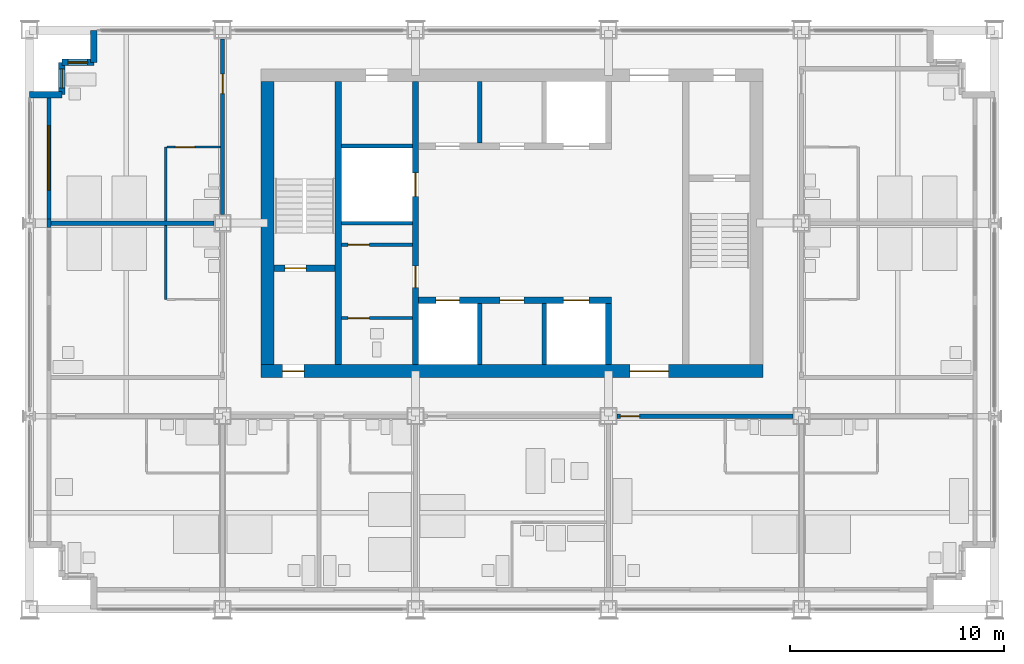
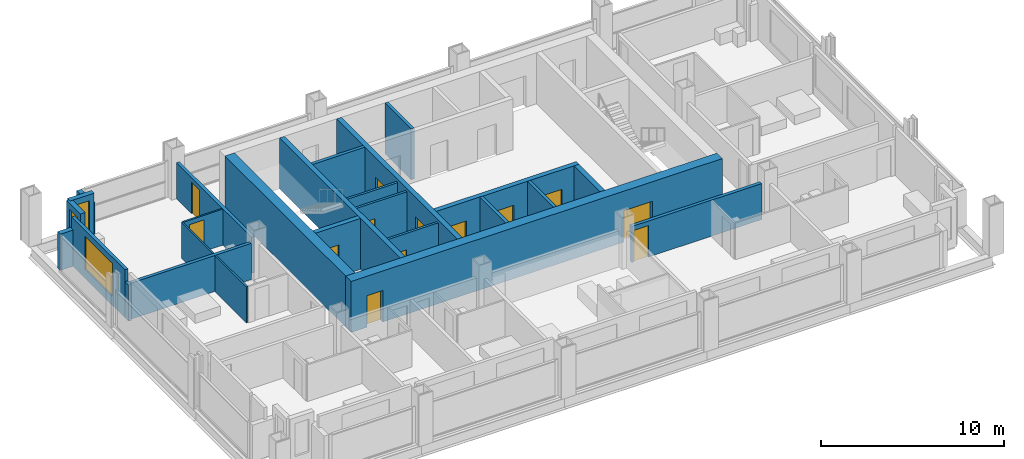
# One storey, part 8 of 13: 26 walls, 13 doors, 3 windows, 16 openings.
"""IFC4 building model written with IfcOpenShell, lengths in metres."""

from ifc_helpers import new_model, si_unit, direction, frame, frame_2d, origin, place, context, subcontext, project, spatial, rectangle, extrude, material, layer, layer_set, type_object, element, fill, save


model = new_model("IFC4")

# Units and contexts
model_context = context("Model", 3, precision=1e-05, world=origin(), true_north=direction((0.0, 1.0)))
body_context = subcontext(model_context, "Body", "Model", "MODEL_VIEW")
ifc_project = project(units=[si_unit("LENGTHUNIT", "METRE"), si_unit("AREAUNIT", "SQUARE_METRE"), si_unit("VOLUMEUNIT", "CUBIC_METRE"), si_unit("PLANEANGLEUNIT", "RADIAN"), si_unit("MASSUNIT", "GRAM", prefix="KILO")], contexts=[model_context])

# Site, building, storey
site_placement = place(None, origin())
site = spatial("IfcSite", under=ifc_project, at=site_placement, CompositionType="ELEMENT")
building_placement = place(site_placement, origin())
building = spatial("IfcBuilding", under=site, at=building_placement, Name="Loomwork Tower", CompositionType="ELEMENT")
storey_placement = place(building_placement, frame((0.0, 0.0, 184.199951171875)))
storey = spatial("IfcBuildingStorey", under=building, at=storey_placement, Name="L50", CompositionType="ELEMENT", Elevation=184.199951171875)

# Wall
ifc_material_1 = material(Name="Concrete 14000 psi (97 MPa)", Category="concrete")
ifc_layer_1 = layer(ifc_material_1, 0.300048828125)
ifc_layer_set_1 = layer_set([ifc_layer_1], Name="Core shear wall 300")
wall_type_1 = type_object("IfcWallType", Name="Core shear wall 300", PredefinedType="SHEAR", material=ifc_layer_set_1)
wall_1_placement = place(storey_placement, frame((14.39990234375, 11.39990234375, 0.0), z_axis=(0.0, 0.0, 1.0), x_axis=(0.0, 1.0, 0.0)))
element("IfcWall", 1, at=wall_1_placement, inside=storey, type_object=wall_type_1, Name="Stair A east wall L50", PredefinedType="SHEAR", context=body_context, shape_type="SweptSolid", body=[
    extrude(rectangle(XDim=13.2001953125, YDim=0.300048828125, at=frame_2d((6.60009765625, 0.0))), origin(), (0.0, 0.0, 1.0), 3.400146484375),
])

# Wall, opening, door
wall_2_placement = place(storey_placement, frame((11.39990234375, 15.89990234375, 0.0), z_axis=(0.0, 0.0, 1.0), x_axis=(1.0, 0.0, 0.0)))
wall_2 = element("IfcWall", 2, at=wall_2_placement, inside=storey, type_object=wall_type_1, Name="Stair A south wall L50", PredefinedType="SHEAR", context=body_context, shape_type="SweptSolid", body=[
    extrude(rectangle(XDim=2.85009765625, YDim=0.300048828125, at=frame_2d((1.425048828125, 0.0))), origin(), (0.0, 0.0, 1.0), 3.400146484375),
])
opening_1_placement = place(wall_2_placement, frame((0.5, 0.0, 0.0)))
opening_1 = element("IfcOpeningElement", 3, at=opening_1_placement, cuts=wall_2, Name="Opening D4", PredefinedType="OPENING", context=body_context, shape_type="SweptSolid", body=[
    extrude(rectangle(XDim=1.0, YDim=2.10009765625, at=frame_2d((0.5, 1.050048828125))), frame((0.0, 0.159912109375, 0.0), z_axis=(0.0, -1.0, 0.0), x_axis=(1.0, 0.0, 0.0)), (0.0, 0.0, 1.0), 0.320068359375),
])
ifc_material_2 = material(Name="Hollow metal door and frame")
door_type_1 = type_object("IfcDoorType", Name="Stair door 1000", OperationType="SINGLE_SWING_RIGHT", PredefinedType="DOOR", material=ifc_material_2)
door_1_placement = place(opening_1_placement, origin())
door_1 = element("IfcDoor", 4, at=door_1_placement, inside=storey, type_object=door_type_1, Name="Stair A door", OperationType="SINGLE_SWING_LEFT", OverallHeight=2.10009765625, OverallWidth=1.0, PredefinedType="DOOR", context=body_context, shape_type="SweptSolid", body=[
    extrude(rectangle(XDim=1.0, YDim=2.10009765625, at=frame_2d((0.5, 1.050048828125))), frame((0.0, 0.02490234375, 0.0), z_axis=(0.0, -1.0, 0.0), x_axis=(1.0, 0.0, 0.0)), (0.0, 0.0, 1.0), 0.050048828125),
])
fill(opening_1, door_1)

# Wall, openings, doors
wall_3_placement = place(storey_placement, frame((18.0, 11.39990234375, 0.0), z_axis=(0.0, 0.0, 1.0), x_axis=(0.0, 1.0, 0.0)))
wall_3 = element("IfcWall", 5, at=wall_3_placement, inside=storey, type_object=wall_type_1, Name="Lobby west wall L50", PredefinedType="SHEAR", context=body_context, shape_type="SweptSolid", body=[
    extrude(rectangle(XDim=13.2001953125, YDim=0.300048828125, at=frame_2d((6.60009765625, 0.0))), origin(), (0.0, 0.0, 1.0), 3.400146484375),
])
opening_2_placement = place(wall_3_placement, frame((3.60009765625, 0.0, 0.0)))
opening_2 = element("IfcOpeningElement", 6, at=opening_2_placement, cuts=wall_3, Name="Opening D5", PredefinedType="OPENING", context=body_context, shape_type="SweptSolid", body=[
    extrude(rectangle(XDim=1.0, YDim=2.10009765625, at=frame_2d((0.5, 1.050048828125))), frame((0.0, 0.159912109375, 0.0), z_axis=(0.0, -1.0, 0.0), x_axis=(1.0, 0.0, 0.0)), (0.0, 0.0, 1.0), 0.320068359375),
])
opening_3_placement = place(wall_3_placement, frame((7.85009765625, 0.0, 0.0)))
opening_3 = element("IfcOpeningElement", 7, at=opening_3_placement, cuts=wall_3, Name="Opening LD1", PredefinedType="OPENING", context=body_context, shape_type="SweptSolid", body=[
    extrude(rectangle(XDim=1.10009765625, YDim=2.10009765625, at=frame_2d((0.550048828125, 1.050048828125))), frame((0.0, 0.159912109375, 0.0), z_axis=(0.0, -1.0, 0.0), x_axis=(1.0, 0.0, 0.0)), (0.0, 0.0, 1.0), 0.320068359375),
])
ifc_material_3 = material(Name="Hollow metal door and frame")
door_type_2 = type_object("IfcDoorType", Name="Lift landing door 1100", OperationType="SLIDING_TO_LEFT", PredefinedType="DOOR", material=ifc_material_3)
door_2_placement = place(opening_3_placement, origin())
door_2 = element("IfcDoor", 8, at=door_2_placement, inside=storey, type_object=door_type_2, Name="Lift landing door LC2", OperationType="SLIDING_TO_LEFT", OverallHeight=2.10009765625, OverallWidth=1.10009765625, PredefinedType="DOOR", context=body_context, shape_type="SweptSolid", body=[
    extrude(rectangle(XDim=1.10009765625, YDim=2.10009765625, at=frame_2d((0.550048828125, 1.050048828125))), frame((0.0, 0.02490234375, 0.0), z_axis=(0.0, -1.0, 0.0), x_axis=(1.0, 0.0, 0.0)), (0.0, 0.0, 1.0), 0.050048828125),
])
fill(opening_3, door_2)
ifc_material_4 = material(Name="Hollow metal door and frame")
door_type_3 = type_object("IfcDoorType", Name="Service door 1000", OperationType="SINGLE_SWING_LEFT", PredefinedType="DOOR", material=ifc_material_4)
door_3_placement = place(opening_2_placement, origin())
door_3 = element("IfcDoor", 9, at=door_3_placement, inside=storey, type_object=door_type_3, Name="Back-of-house door south", OperationType="SINGLE_SWING_LEFT", OverallHeight=2.10009765625, OverallWidth=1.0, PredefinedType="DOOR", context=body_context, shape_type="SweptSolid", body=[
    extrude(rectangle(XDim=1.0, YDim=2.10009765625, at=frame_2d((0.5, 1.050048828125))), frame((0.0, 0.02490234375, 0.0), z_axis=(0.0, -1.0, 0.0), x_axis=(1.0, 0.0, 0.0)), (0.0, 0.0, 1.0), 0.050048828125),
])
fill(opening_2, door_3)

wall_4_placement = place(storey_placement, frame((18.14990234375, 14.39990234375, 0.0), z_axis=(0.0, 0.0, 1.0), x_axis=(1.0, 0.0, 0.0)))
wall_4 = element("IfcWall", 10, at=wall_4_placement, inside=storey, type_object=wall_type_1, Name="Lift front wall south L50", PredefinedType="SHEAR", context=body_context, shape_type="SweptSolid", body=[
    extrude(rectangle(XDim=9.0, YDim=0.300048828125, at=frame_2d((4.5, 0.0))), origin(), (0.0, 0.0, 1.0), 3.400146484375),
])
opening_4_placement = place(wall_4_placement, frame((0.800048828125, 0.0, 0.0)))
opening_4 = element("IfcOpeningElement", 11, at=opening_4_placement, cuts=wall_4, Name="Opening LD1", PredefinedType="OPENING", context=body_context, shape_type="SweptSolid", body=[
    extrude(rectangle(XDim=1.10009765625, YDim=2.10009765625, at=frame_2d((0.550048828125, 1.050048828125))), frame((0.0, 0.159912109375, 0.0), z_axis=(0.0, -1.0, 0.0), x_axis=(1.0, 0.0, 0.0)), (0.0, 0.0, 1.0), 0.320068359375),
])
opening_5_placement = place(wall_4_placement, frame((6.75, 0.0, 0.0)))
opening_5 = element("IfcOpeningElement", 12, at=opening_5_placement, cuts=wall_4, Name="Opening LD2", PredefinedType="OPENING", context=body_context, shape_type="SweptSolid", body=[
    extrude(rectangle(XDim=1.199951171875, YDim=2.10009765625, at=frame_2d((0.60009765625, 1.050048828125))), frame((0.0, 0.159912109375, 0.0), z_axis=(0.0, -1.0, 0.0), x_axis=(1.0, 0.0, 0.0)), (0.0, 0.0, 1.0), 0.320068359375),
])
opening_6_placement = place(wall_4_placement, frame((3.800048828125, 0.0, 0.0)))
opening_6 = element("IfcOpeningElement", 13, at=opening_6_placement, cuts=wall_4, Name="Opening D17", PredefinedType="OPENING", context=body_context, shape_type="SweptSolid", body=[
    extrude(rectangle(XDim=1.10009765625, YDim=2.10009765625, at=frame_2d((0.550048828125, 1.050048828125))), frame((0.0, 0.159912109375, 0.0), z_axis=(0.0, -1.0, 0.0), x_axis=(1.0, 0.0, 0.0)), (0.0, 0.0, 1.0), 0.320068359375),
])
door_4_placement = place(opening_4_placement, origin())
door_4 = element("IfcDoor", 14, at=door_4_placement, inside=storey, type_object=door_type_2, Name="Lift landing door LC1", OperationType="SLIDING_TO_LEFT", OverallHeight=2.10009765625, OverallWidth=1.10009765625, PredefinedType="DOOR", context=body_context, shape_type="SweptSolid", body=[
    extrude(rectangle(XDim=1.10009765625, YDim=2.10009765625, at=frame_2d((0.550048828125, 1.050048828125))), frame((0.0, 0.02490234375, 0.0), z_axis=(0.0, -1.0, 0.0), x_axis=(1.0, 0.0, 0.0)), (0.0, 0.0, 1.0), 0.050048828125),
])
fill(opening_4, door_4)
ifc_material_5 = material(Name="Hollow metal door and frame")
door_type_4 = type_object("IfcDoorType", Name="Lift landing door 1200", OperationType="SLIDING_TO_LEFT", PredefinedType="DOOR", material=ifc_material_5)
door_5_placement = place(opening_5_placement, origin())
door_5 = element("IfcDoor", 15, at=door_5_placement, inside=storey, type_object=door_type_4, Name="Lift landing door LF1", OperationType="SLIDING_TO_LEFT", OverallHeight=2.10009765625, OverallWidth=1.199951171875, PredefinedType="DOOR", context=body_context, shape_type="SweptSolid", body=[
    extrude(rectangle(XDim=1.199951171875, YDim=2.10009765625, at=frame_2d((0.60009765625, 1.050048828125))), frame((0.0, 0.02490234375, 0.0), z_axis=(0.0, -1.0, 0.0), x_axis=(1.0, 0.0, 0.0)), (0.0, 0.0, 1.0), 0.050048828125),
])
fill(opening_5, door_5)
ifc_material_6 = material(Name="Hollow metal door and frame")
door_type_5 = type_object("IfcDoorType", Name="Service room door 1100", OperationType="SINGLE_SWING_LEFT", PredefinedType="DOOR", material=ifc_material_6)
door_6_placement = place(opening_6_placement, frame((1.10009765625, 0.0, 0.0), z_axis=(0.0, 0.0, 1.0), x_axis=(-1.0, 0.0, 0.0)))
door_6 = element("IfcDoor", 16, at=door_6_placement, inside=storey, type_object=door_type_5, Name="Guest pantry, ice and vending door L50", OperationType="SINGLE_SWING_RIGHT", OverallHeight=2.10009765625, OverallWidth=1.10009765625, PredefinedType="DOOR", context=body_context, shape_type="SweptSolid", body=[
    extrude(rectangle(XDim=1.10009765625, YDim=2.10009765625, at=frame_2d((0.550048828125, 1.050048828125))), frame((0.0, 0.02490234375, 0.0), z_axis=(0.0, -1.0, 0.0), x_axis=(1.0, 0.0, 0.0)), (0.0, 0.0, 1.0), 0.050048828125),
])
fill(opening_6, door_6)

# Wall
wall_5_placement = place(storey_placement, frame((27.0, 11.39990234375, 0.0), z_axis=(0.0, 0.0, 1.0), x_axis=(0.0, 1.0, 0.0)))
element("IfcWall", 17, at=wall_5_placement, inside=storey, type_object=wall_type_1, Name="Lift shaft end wall south L50", PredefinedType="SHEAR", context=body_context, shape_type="SweptSolid", body=[
    extrude(rectangle(XDim=2.85009765625, YDim=0.300048828125, at=frame_2d((1.425048828125, 0.0))), origin(), (0.0, 0.0, 1.0), 3.400146484375),
])

# Wall, openings, doors
ifc_material_7 = material(Name="Concrete 14000 psi (97 MPa)", Category="concrete")
ifc_layer_2 = layer(ifc_material_7, 0.60009765625)
ifc_layer_set_2 = layer_set([ifc_layer_2], Name="Core shear wall 600")
wall_type_2 = type_object("IfcWallType", Name="Core shear wall 600", PredefinedType="SHEAR", material=ifc_layer_set_2)
wall_6_placement = place(storey_placement, frame((10.800048828125, 11.10009765625, 0.0), z_axis=(0.0, 0.0, 1.0), x_axis=(1.0, 0.0, 0.0)))
wall_6 = element("IfcWall", 18, at=wall_6_placement, inside=storey, type_object=wall_type_2, Name="Core wall south L50", PredefinedType="SHEAR", context=body_context, shape_type="SweptSolid", body=[
    extrude(rectangle(XDim=23.39990234375, YDim=0.60009765625, at=frame_2d((11.699951171875, 0.0))), origin(), (0.0, 0.0, 1.0), 3.400146484375),
])
opening_7_placement = place(wall_6_placement, frame((1.0, 0.0, 0.0)))
opening_7 = element("IfcOpeningElement", 19, at=opening_7_placement, cuts=wall_6, Name="Opening D4", PredefinedType="OPENING", context=body_context, shape_type="SweptSolid", body=[
    extrude(rectangle(XDim=1.0, YDim=2.10009765625, at=frame_2d((0.5, 1.050048828125))), frame((0.0, 0.31005859375, 0.0), z_axis=(0.0, -1.0, 0.0), x_axis=(1.0, 0.0, 0.0)), (0.0, 0.0, 1.0), 0.6201171875),
])
opening_8_placement = place(wall_6_placement, frame((17.199951171875, 0.0, 0.0)))
opening_8 = element("IfcOpeningElement", 20, at=opening_8_placement, cuts=wall_6, Name="Opening D6", PredefinedType="OPENING", context=body_context, shape_type="SweptSolid", body=[
    extrude(rectangle(XDim=1.800048828125, YDim=2.10009765625, at=frame_2d((0.89990234375, 1.050048828125))), frame((0.0, 0.31005859375, 0.0), z_axis=(0.0, -1.0, 0.0), x_axis=(1.0, 0.0, 0.0)), (0.0, 0.0, 1.0), 0.6201171875),
])
ifc_material_8 = material(Name="Hollow metal door and frame")
door_type_6 = type_object("IfcDoorType", Name="Lobby passage double door 1800", OperationType="DOUBLE_DOOR_SINGLE_SWING", PredefinedType="DOOR", material=ifc_material_8)
door_7_placement = place(opening_8_placement, origin())
door_7 = element("IfcDoor", 21, at=door_7_placement, inside=storey, type_object=door_type_6, Name="Lobby passage door south", OperationType="DOUBLE_DOOR_SINGLE_SWING", OverallHeight=2.10009765625, OverallWidth=1.800048828125, PredefinedType="DOOR", context=body_context, shape_type="SweptSolid", body=[
    extrude(rectangle(XDim=1.800048828125, YDim=2.10009765625, at=frame_2d((0.89990234375, 1.050048828125))), frame((0.0, 0.02490234375, 0.0), z_axis=(0.0, -1.0, 0.0), x_axis=(1.0, 0.0, 0.0)), (0.0, 0.0, 1.0), 0.050048828125),
])
fill(opening_8, door_7)
door_8_placement = place(opening_7_placement, origin())
door_8 = element("IfcDoor", 22, at=door_8_placement, inside=storey, type_object=door_type_1, Name="Stair A vestibule door", OperationType="SINGLE_SWING_LEFT", OverallHeight=2.10009765625, OverallWidth=1.0, PredefinedType="DOOR", context=body_context, shape_type="SweptSolid", body=[
    extrude(rectangle(XDim=1.0, YDim=2.10009765625, at=frame_2d((0.5, 1.050048828125))), frame((0.0, 0.02490234375, 0.0), z_axis=(0.0, -1.0, 0.0), x_axis=(1.0, 0.0, 0.0)), (0.0, 0.0, 1.0), 0.050048828125),
])
fill(opening_7, door_8)

# Wall
wall_7_placement = place(storey_placement, frame((11.10009765625, 11.39990234375, 0.0), z_axis=(0.0, 0.0, 1.0), x_axis=(0.0, 1.0, 0.0)))
element("IfcWall", 23, at=wall_7_placement, inside=storey, type_object=wall_type_2, Name="Core wall west L50", PredefinedType="SHEAR", context=body_context, shape_type="SweptSolid", body=[
    extrude(rectangle(XDim=13.2001953125, YDim=0.60009765625, at=frame_2d((6.60009765625, 0.0))), origin(), (0.0, 0.0, 1.0), 3.400146484375),
])

# Wall, opening, door
ifc_material_9 = material(Name="Gypsum board on steel studs, one-hour", Category="steel")
ifc_layer_3 = layer(ifc_material_9, 0.199951171875)
ifc_layer_set_3 = layer_set([ifc_layer_3], Name="Corridor wall 200")
wall_type_3 = type_object("IfcWallType", Name="Corridor wall 200", PredefinedType="PARTITIONING", material=ifc_layer_set_3)
wall_8_placement = place(storey_placement, frame((27.39990234375, 9.0, 0.0), z_axis=(0.0, 0.0, 1.0), x_axis=(1.0, 0.0, 0.0)))
wall_8 = element("IfcWall", 24, at=wall_8_placement, inside=storey, type_object=wall_type_3, Name="South corridor wall 4", PredefinedType="PARTITIONING", context=body_context, shape_type="SweptSolid", body=[
    extrude(rectangle(XDim=8.2001953125, YDim=0.199951171875, at=frame_2d((4.10009765625, 0.0))), origin(), (0.0, 0.0, 1.0), 2.405029296875),
])
opening_9_placement = place(wall_8_placement, frame((0.14990234375, 0.0, 0.0)))
opening_9 = element("IfcOpeningElement", 25, at=opening_9_placement, cuts=wall_8, Name="Opening D1", PredefinedType="OPENING", context=body_context, shape_type="SweptSolid", body=[
    extrude(rectangle(XDim=0.89990234375, YDim=2.10009765625, at=frame_2d((0.449951171875, 1.050048828125))), frame((0.0, 0.10986328125, 0.0), z_axis=(0.0, -1.0, 0.0), x_axis=(1.0, 0.0, 0.0)), (0.0, 0.0, 1.0), 0.219970703125),
])
ifc_material_10 = material(Name="Hollow metal door and frame")
door_type_7 = type_object("IfcDoorType", Name="Guest room entry door 900", OperationType="SINGLE_SWING_LEFT", PredefinedType="DOOR", material=ifc_material_10)
door_9_placement = place(opening_9_placement, frame((0.89990234375, 0.0, 0.0), z_axis=(0.0, 0.0, 1.0), x_axis=(-1.0, 0.0, 0.0)))
door_9 = element("IfcDoor", 26, at=door_9_placement, inside=storey, type_object=door_type_7, Name="Guest room entry door L50 5", OperationType="SINGLE_SWING_RIGHT", OverallHeight=2.10009765625, OverallWidth=0.89990234375, PredefinedType="DOOR", context=body_context, shape_type="SweptSolid", body=[
    extrude(rectangle(XDim=0.89990234375, YDim=2.10009765625, at=frame_2d((0.449951171875, 1.050048828125))), frame((0.0, 0.02490234375, 0.0), z_axis=(0.0, -1.0, 0.0), x_axis=(1.0, 0.0, 0.0)), (0.0, 0.0, 1.0), 0.050048828125),
])
fill(opening_9, door_9)

wall_9_placement = place(storey_placement, frame((9.0, 18.39990234375, 0.0), z_axis=(0.0, 0.0, 1.0), x_axis=(0.0, 1.0, 0.0)))
wall_9 = element("IfcWall", 27, at=wall_9_placement, inside=storey, type_object=wall_type_3, Name="West corridor wall 2", PredefinedType="PARTITIONING", context=body_context, shape_type="SweptSolid", body=[
    extrude(rectangle(XDim=8.2001953125, YDim=0.199951171875, at=frame_2d((4.10009765625, 0.0))), origin(), (0.0, 0.0, 1.0), 2.405029296875),
])
opening_10_placement = place(wall_9_placement, frame((5.64990234375, 0.0, 0.0)))
opening_10 = element("IfcOpeningElement", 28, at=opening_10_placement, cuts=wall_9, Name="Opening D1", PredefinedType="OPENING", context=body_context, shape_type="SweptSolid", body=[
    extrude(rectangle(XDim=0.89990234375, YDim=2.10009765625, at=frame_2d((0.449951171875, 1.050048828125))), frame((0.0, 0.10986328125, 0.0), z_axis=(0.0, -1.0, 0.0), x_axis=(1.0, 0.0, 0.0)), (0.0, 0.0, 1.0), 0.219970703125),
])
door_10_placement = place(opening_10_placement, origin())
door_10 = element("IfcDoor", 29, at=door_10_placement, inside=storey, type_object=door_type_7, Name="Guest room entry door L50 8", OperationType="SINGLE_SWING_RIGHT", OverallHeight=2.10009765625, OverallWidth=0.89990234375, PredefinedType="DOOR", context=body_context, shape_type="SweptSolid", body=[
    extrude(rectangle(XDim=0.89990234375, YDim=2.10009765625, at=frame_2d((0.449951171875, 1.050048828125))), frame((0.0, 0.02490234375, 0.0), z_axis=(0.0, -1.0, 0.0), x_axis=(1.0, 0.0, 0.0)), (0.0, 0.0, 1.0), 0.050048828125),
])
fill(opening_10, door_10)

# Walls
ifc_material_11 = material(Name="Cement board on steel studs", Category="steel")
ifc_layer_4 = layer(ifc_material_11, 0.10009765625)
ifc_layer_set_4 = layer_set([ifc_layer_4], Name="En-suite partition 100")
wall_type_4 = type_object("IfcWallType", Name="En-suite partition 100", PredefinedType="PARTITIONING", material=ifc_layer_set_4)
for number, where, z_axis, x_axis, name in (
    (30, (6.35009765625, 14.449951171875, 0.0), (0.0, 0.0, 1.0), (0.0, 1.0, 0.0), "En-suite wall L50 room 7"),
    (31, (6.35009765625, 18.10009765625, 0.0), (0.0, 0.0, 1.0), (0.0, 1.0, 0.0), "En-suite wall L50 room 8"),
):
    element("IfcWall", number, at=place(storey_placement, frame(where, z_axis=z_axis, x_axis=x_axis)), inside=storey, type_object=wall_type_4, Name=name, PredefinedType="PARTITIONING", context=body_context, shape_type="SweptSolid", body=[
        extrude(rectangle(XDim=3.449951171875, YDim=0.10009765625, at=frame_2d((1.72509765625, 0.0))), origin(), (0.0, 0.0, 1.0), 2.404052734375),
    ])

# Wall, opening, door
wall_10_placement = place(storey_placement, frame((8.89990234375, 21.550048828125, 0.0), z_axis=(0.0, 0.0, 1.0), x_axis=(-1.0, 0.0, 0.0)))
wall_10 = element("IfcWall", 32, at=wall_10_placement, inside=storey, type_object=wall_type_4, Name="En-suite side wall L50 room 8", PredefinedType="PARTITIONING", context=body_context, shape_type="SweptSolid", body=[
    extrude(rectangle(XDim=2.5, YDim=0.10009765625, at=frame_2d((1.25, 0.0))), origin(), (0.0, 0.0, 1.0), 2.404052734375),
])
opening_11_placement = place(wall_10_placement, frame((1.199951171875, 0.0, 0.0)))
opening_11 = element("IfcOpeningElement", 33, at=opening_11_placement, cuts=wall_10, Name="Opening D2", PredefinedType="OPENING", context=body_context, shape_type="SweptSolid", body=[
    extrude(rectangle(XDim=0.89990234375, YDim=2.10009765625, at=frame_2d((0.449951171875, 1.050048828125))), frame((0.0, 0.06005859375, 0.0), z_axis=(0.0, -1.0, 0.0), x_axis=(1.0, 0.0, 0.0)), (0.0, 0.0, 1.0), 0.1201171875),
])
ifc_material_12 = material(Name="Hollow metal door and frame")
door_type_8 = type_object("IfcDoorType", Name="En-suite door 900", OperationType="SINGLE_SWING_LEFT", PredefinedType="DOOR", material=ifc_material_12)
door_11_placement = place(opening_11_placement, origin())
door_11 = element("IfcDoor", 34, at=door_11_placement, inside=storey, type_object=door_type_8, Name="En-suite door room 8", OperationType="SINGLE_SWING_RIGHT", OverallHeight=2.10009765625, OverallWidth=0.89990234375, PredefinedType="DOOR", context=body_context, shape_type="SweptSolid", body=[
    extrude(rectangle(XDim=0.89990234375, YDim=2.10009765625, at=frame_2d((0.449951171875, 1.050048828125))), frame((0.0, 0.02490234375, 0.0), z_axis=(0.0, -1.0, 0.0), x_axis=(1.0, 0.0, 0.0)), (0.0, 0.0, 1.0), 0.050048828125),
])
fill(opening_11, door_11)

# Walls
ifc_material_13 = material(Name="Gypsum board on steel studs, acoustic", Category="steel")
ifc_layer_5 = layer(ifc_material_13, 0.199951171875)
ifc_layer_set_5 = layer_set([ifc_layer_5], Name="Guest room party wall 200")
wall_type_5 = type_object("IfcWallType", Name="Guest room party wall 200", PredefinedType="PARTITIONING", material=ifc_layer_set_5)
wall_11_placement = place(storey_placement, frame((8.60009765625, 18.0, 0.0), z_axis=(0.0, 0.0, 1.0), x_axis=(-1.0, 0.0, 0.0)))
element("IfcWall", 35, at=wall_11_placement, inside=storey, type_object=wall_type_5, Name="Guest room party wall W 18", PredefinedType="PARTITIONING", context=body_context, shape_type="SweptSolid", body=[
    extrude(rectangle(XDim=7.60009765625, YDim=0.199951171875, at=frame_2d((3.800048828125, 0.0))), origin(), (0.0, 0.0, 1.0), 2.405029296875),
])
ifc_material_14 = material(Name="Insulated steel stud wall with gypsum lining", Category="steel")
ifc_layer_6 = layer(ifc_material_14, 0.199951171875)
ifc_layer_set_6 = layer_set([ifc_layer_6], Name="Inner skin wall 200")
wall_type_6 = type_object("IfcWallType", Name="Inner skin wall 200", PredefinedType="SOLIDWALL", material=ifc_layer_set_6)
wall_12_placement = place(storey_placement, frame((0.89990234375, 17.80615234375, 0.0), z_axis=(0.0, 0.0, 1.0), x_axis=(0.0, 1.0, 0.0)))
element("IfcWall", 36, at=wall_12_placement, inside=storey, type_object=wall_type_6, Name="Inner skin wall W bay 6", PredefinedType="SOLIDWALL", context=body_context, shape_type="SweptSolid", body=[
    extrude(rectangle(XDim=0.3876953125, YDim=0.199951171875, at=frame_2d((0.19384765625, 0.0))), origin(), (0.0, 0.0, 1.0), 2.404052734375),
])

# Wall, opening, window
wall_13_placement = place(storey_placement, frame((0.89990234375, 18.19384765625, 0.0), z_axis=(0.0, 0.0, 1.0), x_axis=(0.0, 1.0, 0.0)))
wall_13 = element("IfcWall", 37, at=wall_13_placement, inside=storey, type_object=wall_type_6, Name="Inner skin wall W bay 7", PredefinedType="SOLIDWALL", context=body_context, shape_type="SweptSolid", body=[
    extrude(rectangle(XDim=5.80615234375, YDim=0.199951171875, at=frame_2d((2.903076171875, 0.0))), origin(), (0.0, 0.0, 1.0), 3.199951171875),
])
opening_12_placement = place(wall_13_placement, frame((1.356201171875, 0.0, 0.60009765625)))
opening_12 = element("IfcOpeningElement", 38, at=opening_12_placement, cuts=wall_13, Name="Opening CH1", PredefinedType="OPENING", context=body_context, shape_type="SweptSolid", body=[
    extrude(rectangle(XDim=3.0, YDim=2.199951171875, at=frame_2d((1.5, 1.10009765625))), frame((0.0, 0.10986328125, 0.0), z_axis=(0.0, -1.0, 0.0), x_axis=(1.0, 0.0, 0.0)), (0.0, 0.0, 1.0), 0.219970703125),
])
ifc_material_15 = material(Name="Aluminium frame with clear insulated glass", Category="aluminium")
window_type_1 = type_object("IfcWindowType", Name="Chicago window 3000", PartitioningType="TRIPLE_PANEL_VERTICAL", PredefinedType="WINDOW", material=ifc_material_15)
window_1_placement = place(opening_12_placement, origin())
window_1 = element("IfcWindow", 39, at=window_1_placement, inside=storey, type_object=window_type_1, Name="Chicago window L50 bay 7", OverallHeight=2.199951171875, OverallWidth=3.0, PartitioningType="TRIPLE_PANEL_VERTICAL", PredefinedType="WINDOW", context=body_context, shape_type="SweptSolid", body=[
    extrude(rectangle(XDim=3.0, YDim=2.199951171875, at=frame_2d((1.5, 1.10009765625))), frame((0.0, 0.030029296875, 0.0), z_axis=(0.0, -1.0, 0.0), x_axis=(1.0, 0.0, 0.0)), (0.0, 0.0, 1.0), 0.06005859375),
])
fill(opening_12, window_1)

# Walls
ifc_material_16 = material(Name="Concrete 14000 psi (97 MPa)", Category="concrete")
ifc_layer_7 = layer(ifc_material_16, 0.199951171875)
ifc_layer_set_7 = layer_set([ifc_layer_7], Name="Lift shaft wall 200")
wall_type_7 = type_object("IfcWallType", Name="Lift shaft wall 200", PredefinedType="SHEAR", material=ifc_layer_set_7)
for number, where, z_axis, x_axis, name in (
    (40, (21.0, 11.39990234375, 0.0), (0.0, 0.0, 1.0), (0.0, 1.0, 0.0), "Lift shaft separation wall south 1 L50"),
    (41, (24.0, 11.39990234375, 0.0), (0.0, 0.0, 1.0), (0.0, 1.0, 0.0), "Lift shaft separation wall south 2 L50"),
    (42, (21.0, 21.75, 0.0), (0.0, 0.0, 1.0), (0.0, 1.0, 0.0), "Lift shaft separation wall north 1 L50"),
):
    element("IfcWall", number, at=place(storey_placement, frame(where, z_axis=z_axis, x_axis=x_axis)), inside=storey, type_object=wall_type_7, Name=name, PredefinedType="SHEAR", context=body_context, shape_type="SweptSolid", body=[
        extrude(rectangle(XDim=2.85009765625, YDim=0.199951171875, at=frame_2d((1.425048828125, 0.0))), origin(), (0.0, 0.0, 1.0), 3.400146484375),
    ])
wall_14_placement = place(storey_placement, frame((14.550048828125, 21.60009765625, 0.0), z_axis=(0.0, 0.0, 1.0), x_axis=(1.0, 0.0, 0.0)))
element("IfcWall", 43, at=wall_14_placement, inside=storey, type_object=wall_type_7, Name="Lift shaft wall west north L50", PredefinedType="SHEAR", context=body_context, shape_type="SweptSolid", body=[
    extrude(rectangle(XDim=3.300048828125, YDim=0.199951171875, at=frame_2d((1.64990234375, 0.0))), origin(), (0.0, 0.0, 1.0), 3.400146484375),
])
ifc_material_17 = material(Name="Limestone on concrete masonry", Category="masonry")
ifc_layer_8 = layer(ifc_material_17, 0.300048828125)
ifc_layer_set_8 = layer_set([ifc_layer_8], Name="Limestone corner wall 300")
wall_type_8 = type_object("IfcWallType", Name="Limestone corner wall 300", PredefinedType="SOLIDWALL", material=ifc_layer_set_8)
wall_15_placement = place(storey_placement, frame((3.0, 27.0, 0.0), z_axis=(0.0, 0.0, 1.0), x_axis=(0.0, -1.0, 0.0)))
element("IfcWall", 44, at=wall_15_placement, inside=storey, type_object=wall_type_8, Name="Stone corner wall NW 1", PredefinedType="SOLIDWALL", context=body_context, shape_type="SweptSolid", body=[
    extrude(rectangle(XDim=1.5, YDim=0.300048828125, at=frame_2d((0.75, 0.0))), origin(), (0.0, 0.0, 1.0), 2.420166015625),
])

# Wall, opening, window
wall_16_placement = place(storey_placement, frame((3.0, 25.5, 0.0), z_axis=(0.0, 0.0, 1.0), x_axis=(-1.0, 0.0, 0.0)))
wall_16 = element("IfcWall", 45, at=wall_16_placement, inside=storey, type_object=wall_type_8, Name="Stone corner wall NW 2", PredefinedType="SOLIDWALL", context=body_context, shape_type="SweptSolid", body=[
    extrude(rectangle(XDim=1.5, YDim=0.300048828125, at=frame_2d((0.75, 0.0))), origin(), (0.0, 0.0, 1.0), 3.199951171875),
])
opening_13_placement = place(wall_16_placement, frame((0.300048828125, 0.0, 0.60009765625)))
opening_13 = element("IfcOpeningElement", 46, at=opening_13_placement, cuts=wall_16, Name="Opening CH2", PredefinedType="OPENING", context=body_context, shape_type="SweptSolid", body=[
    extrude(rectangle(XDim=0.89990234375, YDim=2.199951171875, at=frame_2d((0.449951171875, 1.10009765625))), frame((0.0, 0.159912109375, 0.0), z_axis=(0.0, -1.0, 0.0), x_axis=(1.0, 0.0, 0.0)), (0.0, 0.0, 1.0), 0.320068359375),
])
ifc_material_18 = material(Name="Aluminium frame with clear insulated glass", Category="aluminium")
window_type_2 = type_object("IfcWindowType", Name="Corner window 900", PartitioningType="SINGLE_PANEL", PredefinedType="WINDOW", material=ifc_material_18)
window_2_placement = place(opening_13_placement, origin())
window_2 = element("IfcWindow", 47, at=window_2_placement, inside=storey, type_object=window_type_2, Name="Corner window NW", OverallHeight=2.199951171875, OverallWidth=0.89990234375, PartitioningType="SINGLE_PANEL", PredefinedType="WINDOW", context=body_context, shape_type="SweptSolid", body=[
    extrude(rectangle(XDim=0.89990234375, YDim=2.199951171875, at=frame_2d((0.449951171875, 1.10009765625))), frame((0.0, 0.030029296875, 0.0), z_axis=(0.0, -1.0, 0.0), x_axis=(1.0, 0.0, 0.0)), (0.0, 0.0, 1.0), 0.06005859375),
])
fill(opening_13, window_2)

wall_17_placement = place(storey_placement, frame((1.5, 25.5, 0.0), z_axis=(0.0, 0.0, 1.0), x_axis=(0.0, -1.0, 0.0)))
wall_17 = element("IfcWall", 48, at=wall_17_placement, inside=storey, type_object=wall_type_8, Name="Stone corner wall NW 3", PredefinedType="SOLIDWALL", context=body_context, shape_type="SweptSolid", body=[
    extrude(rectangle(XDim=1.5, YDim=0.300048828125, at=frame_2d((0.75, 0.0))), origin(), (0.0, 0.0, 1.0), 3.199951171875),
])
opening_14_placement = place(wall_17_placement, frame((0.300048828125, 0.0, 0.60009765625)))
opening_14 = element("IfcOpeningElement", 49, at=opening_14_placement, cuts=wall_17, Name="Opening CH2", PredefinedType="OPENING", context=body_context, shape_type="SweptSolid", body=[
    extrude(rectangle(XDim=0.89990234375, YDim=2.199951171875, at=frame_2d((0.449951171875, 1.10009765625))), frame((0.0, 0.159912109375, 0.0), z_axis=(0.0, -1.0, 0.0), x_axis=(1.0, 0.0, 0.0)), (0.0, 0.0, 1.0), 0.320068359375),
])
window_3_placement = place(opening_14_placement, origin())
window_3 = element("IfcWindow", 50, at=window_3_placement, inside=storey, type_object=window_type_2, Name="Corner window NW", OverallHeight=2.199951171875, OverallWidth=0.89990234375, PartitioningType="SINGLE_PANEL", PredefinedType="WINDOW", context=body_context, shape_type="SweptSolid", body=[
    extrude(rectangle(XDim=0.89990234375, YDim=2.199951171875, at=frame_2d((0.449951171875, 1.10009765625))), frame((0.0, 0.030029296875, 0.0), z_axis=(0.0, -1.0, 0.0), x_axis=(1.0, 0.0, 0.0)), (0.0, 0.0, 1.0), 0.06005859375),
])
fill(opening_14, window_3)

# Walls
wall_18_placement = place(storey_placement, frame((1.5, 24.0, 0.0), z_axis=(0.0, 0.0, 1.0), x_axis=(-1.0, 0.0, 0.0)))
element("IfcWall", 51, at=wall_18_placement, inside=storey, type_object=wall_type_8, Name="Stone corner wall NW 4", PredefinedType="SOLIDWALL", context=body_context, shape_type="SweptSolid", body=[
    extrude(rectangle(XDim=1.5, YDim=0.300048828125, at=frame_2d((0.75, 0.0))), origin(), (0.0, 0.0, 1.0), 2.420166015625),
])
ifc_material_19 = material(Name="Gypsum board on steel studs", Category="steel")
ifc_layer_9 = layer(ifc_material_19, 0.14990234375)
ifc_layer_set_9 = layer_set([ifc_layer_9], Name="Partition 150 two-hour")
wall_type_9 = type_object("IfcWallType", Name="Partition 150 two-hour", PredefinedType="PARTITIONING", material=ifc_layer_set_9)
wall_19_placement = place(storey_placement, frame((14.550048828125, 18.0, 0.0), z_axis=(0.0, 0.0, 1.0), x_axis=(1.0, 0.0, 0.0)))
element("IfcWall", 52, at=wall_19_placement, inside=storey, type_object=wall_type_9, Name="Back-of-house dividing wall L50", PredefinedType="PARTITIONING", context=body_context, shape_type="SweptSolid", body=[
    extrude(rectangle(XDim=3.300048828125, YDim=0.14990234375, at=frame_2d((1.64990234375, 0.0))), origin(), (0.0, 0.0, 1.0), 3.199951171875),
])

# Wall, opening, door
ifc_material_20 = material(Name="Gypsum board on steel studs, one-hour", Category="steel")
ifc_layer_10 = layer(ifc_material_20, 0.14990234375)
ifc_layer_set_10 = layer_set([ifc_layer_10], Name="Service partition 150")
wall_type_10 = type_object("IfcWallType", Name="Service partition 150", PredefinedType="PARTITIONING", material=ifc_layer_set_10)
wall_20_placement = place(storey_placement, frame((14.550048828125, 17.0, 0.0), z_axis=(0.0, 0.0, 1.0), x_axis=(1.0, 0.0, 0.0)))
wall_20 = element("IfcWall", 53, at=wall_20_placement, inside=storey, type_object=wall_type_10, Name="Riser enclosure L50", PredefinedType="PARTITIONING", context=body_context, shape_type="SweptSolid", body=[
    extrude(rectangle(XDim=3.300048828125, YDim=0.14990234375, at=frame_2d((1.64990234375, 0.0))), origin(), (0.0, 0.0, 1.0), 3.199951171875),
])
opening_15_placement = place(wall_20_placement, frame((0.300048828125, 0.0, 0.0)))
opening_15 = element("IfcOpeningElement", 54, at=opening_15_placement, cuts=wall_20, Name="Opening D18", PredefinedType="OPENING", context=body_context, shape_type="SweptSolid", body=[
    extrude(rectangle(XDim=1.0, YDim=2.10009765625, at=frame_2d((0.5, 1.050048828125))), frame((0.0, 0.0849609375, 0.0), z_axis=(0.0, -1.0, 0.0), x_axis=(1.0, 0.0, 0.0)), (0.0, 0.0, 1.0), 0.169921875),
])
ifc_material_21 = material(Name="Hollow metal door and frame")
door_type_9 = type_object("IfcDoorType", Name="Ninety-minute service door 1000", OperationType="SINGLE_SWING_LEFT", PredefinedType="DOOR", material=ifc_material_21)
door_12_placement = place(opening_15_placement, frame((1.0, 0.0, 0.0), z_axis=(0.0, 0.0, 1.0), x_axis=(-1.0, 0.0, 0.0)))
door_12 = element("IfcDoor", 55, at=door_12_placement, inside=storey, type_object=door_type_9, Name="Riser access door", OperationType="SINGLE_SWING_RIGHT", OverallHeight=2.10009765625, OverallWidth=1.0, PredefinedType="DOOR", context=body_context, shape_type="SweptSolid", body=[
    extrude(rectangle(XDim=1.0, YDim=2.10009765625, at=frame_2d((0.5, 1.050048828125))), frame((0.0, 0.02490234375, 0.0), z_axis=(0.0, -1.0, 0.0), x_axis=(1.0, 0.0, 0.0)), (0.0, 0.0, 1.0), 0.050048828125),
])
fill(opening_15, door_12)

wall_21_placement = place(storey_placement, frame((14.550048828125, 13.574951171875, 0.0), z_axis=(0.0, 0.0, 1.0), x_axis=(1.0, 0.0, 0.0)))
wall_21 = element("IfcWall", 56, at=wall_21_placement, inside=storey, type_object=wall_type_10, Name="Back-of-house partition L50", PredefinedType="PARTITIONING", context=body_context, shape_type="SweptSolid", body=[
    extrude(rectangle(XDim=3.300048828125, YDim=0.14990234375, at=frame_2d((1.64990234375, 0.0))), origin(), (0.0, 0.0, 1.0), 3.199951171875),
])
opening_16_placement = place(wall_21_placement, frame((0.300048828125, 0.0, 0.0)))
opening_16 = element("IfcOpeningElement", 57, at=opening_16_placement, cuts=wall_21, Name="Opening D5", PredefinedType="OPENING", context=body_context, shape_type="SweptSolid", body=[
    extrude(rectangle(XDim=1.0, YDim=2.10009765625, at=frame_2d((0.5, 1.050048828125))), frame((0.0, 0.0849609375, 0.0), z_axis=(0.0, -1.0, 0.0), x_axis=(1.0, 0.0, 0.0)), (0.0, 0.0, 1.0), 0.169921875),
])
door_13_placement = place(opening_16_placement, frame((1.0, 0.0, 0.0), z_axis=(0.0, 0.0, 1.0), x_axis=(-1.0, 0.0, 0.0)))
door_13 = element("IfcDoor", 58, at=door_13_placement, inside=storey, type_object=door_type_3, Name="Back-of-house room door", OperationType="SINGLE_SWING_RIGHT", OverallHeight=2.10009765625, OverallWidth=1.0, PredefinedType="DOOR", context=body_context, shape_type="SweptSolid", body=[
    extrude(rectangle(XDim=1.0, YDim=2.10009765625, at=frame_2d((0.5, 1.050048828125))), frame((0.0, 0.02490234375, 0.0), z_axis=(0.0, -1.0, 0.0), x_axis=(1.0, 0.0, 0.0)), (0.0, 0.0, 1.0), 0.050048828125),
])
fill(opening_16, door_13)

save(model, "model.ifc")
